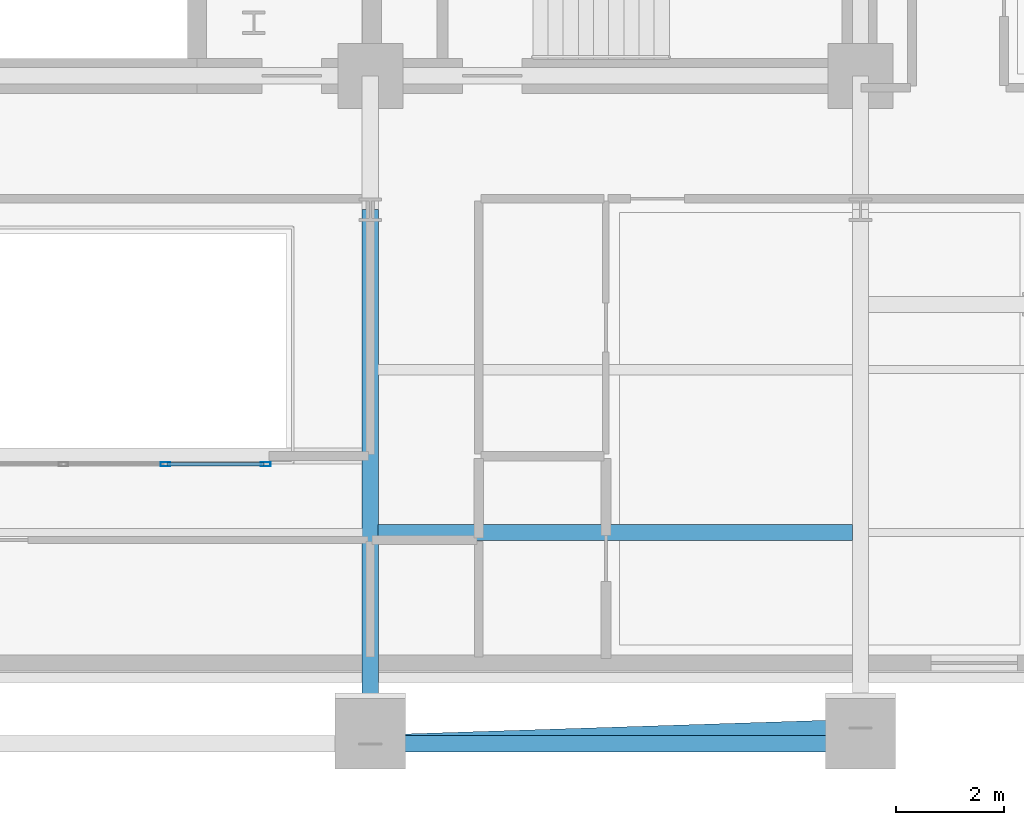
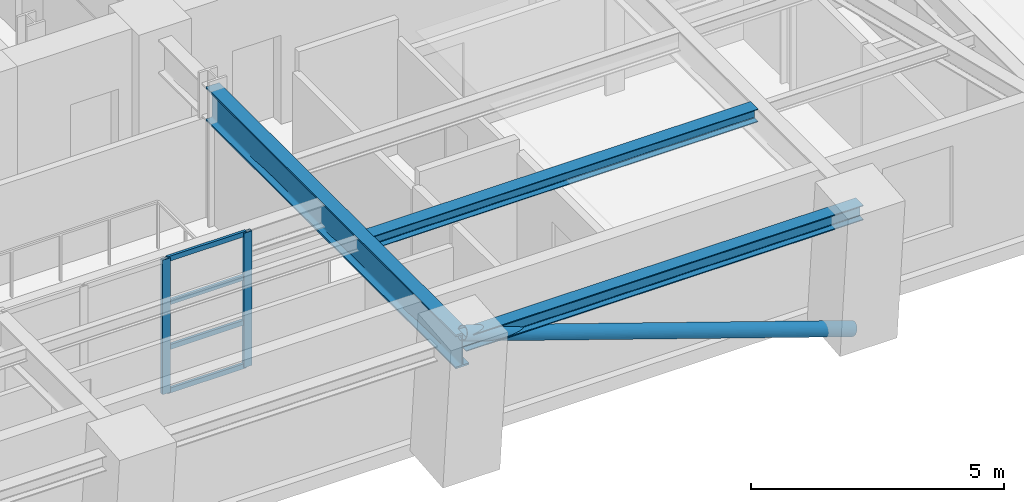
# One storey, part 4 of 15: 7 members, 3 beams, 1 element without a shape of its own.
"""IFC4 building model written with IfcOpenShell, lengths in metres."""

from ifc_helpers import new_model, si_unit, direction, frame, origin, origin_2d, place, context, subcontext, project, spatial, hollow_rectangle, hollow_circle, i_section, extrude, material, layer, layer_set, material_profile, profile_set, type_object, element, aggregate, save


model = new_model("IFC4")

# Units and contexts
model_context = context("Model", 3, precision=1e-05, world=origin(), true_north=direction((0.0, 1.0)))
body_context = subcontext(model_context, "Body", "Model", "MODEL_VIEW")
ifc_project = project(units=[si_unit("LENGTHUNIT", "METRE"), si_unit("AREAUNIT", "SQUARE_METRE"), si_unit("VOLUMEUNIT", "CUBIC_METRE"), si_unit("PLANEANGLEUNIT", "RADIAN"), si_unit("MASSUNIT", "GRAM", prefix="KILO")], contexts=[model_context])

# Site, building, storey
site_placement = place(None, origin())
site = spatial("IfcSite", under=ifc_project, at=site_placement, CompositionType="ELEMENT")
building_placement = place(site_placement, origin())
building = spatial("IfcBuilding", under=site, at=building_placement, Name="Zarnavel Station Tower", CompositionType="ELEMENT")
storey_placement = place(building_placement, frame((0.0, 0.0, 115.300048828125)))
storey = spatial("IfcBuildingStorey", under=building, at=storey_placement, Name="L31", CompositionType="ELEMENT", Elevation=115.300048828125)

# Curtain wall, members
ifc_material_1 = material(Name="Aluminium Dark Anodised and Solar-Control Glass", Category="aluminium")
ifc_layer = layer(ifc_material_1, 0.179931640625)
ifc_layer_set = layer_set([ifc_layer], Name="CWS3")
curtain_wall_type = type_object("IfcCurtainWallType", Name="CWS3", PredefinedType="NOTDEFINED", material=ifc_layer_set)
curtain_wall_placement = place(storey_placement, origin())
curtain_wall = element("IfcCurtainWall", 1, at=curtain_wall_placement, inside=storey, type_object=curtain_wall_type, Name="L31 Curtain Wall CWS3-L31-AS", PredefinedType="NOTDEFINED")
ifc_material_2 = material(Name="Steel S355J2 (Black Fluoropolymer Coated)", Category="steel")
ifc_material_profile_1 = material_profile(ifc_material_2, hollow_rectangle(XDim=0.080078125, YDim=0.179931640625, WallThickness=0.00634765625, at=origin_2d()), Name="RHS180x80x6.3")
ifc_profile_set_1 = profile_set([ifc_material_profile_1], Name="Steel S355J2 (Black Fluoropolymer Coated)")
member_type_1 = type_object("IfcMemberType", Name="CWS3_MUL", PredefinedType="MULLION", material=ifc_profile_set_1)
member_1_placement = place(storey_placement, frame((32.566650390625, 20.64990234375, 0.0), z_axis=(0.0, 0.0, 1.0), x_axis=(0.0, 1.0, 0.0)))
member_1 = element("IfcMember", 2, at=member_1_placement, type_object=member_type_1, Name="CW3 mullion 6", PredefinedType="MULLION", context=body_context, shape_type="SweptSolid", body=[
    extrude(hollow_rectangle(XDim=0.080078125, YDim=0.179931640625, WallThickness=0.00634765625, at=origin_2d()), origin(), (0.0, 0.0, 1.0), 3.239990234375),
])
member_2_placement = place(storey_placement, frame((34.419921875, 20.64990234375, 0.0), z_axis=(0.0, 0.0, 1.0), x_axis=(0.0, 1.0, 0.0)))
member_2 = element("IfcMember", 3, at=member_2_placement, type_object=member_type_1, Name="CW3 mullion 7", PredefinedType="MULLION", context=body_context, shape_type="SweptSolid", body=[
    extrude(hollow_rectangle(XDim=0.080078125, YDim=0.179931640625, WallThickness=0.00634765625, at=origin_2d()), origin(), (0.0, 0.0, 1.0), 3.239990234375),
])
ifc_material_3 = material(Name="Steel S355J2 (Black Fluoropolymer Coated)", Category="steel")
ifc_material_profile_2 = material_profile(ifc_material_3, hollow_rectangle(XDim=0.06005859375, YDim=0.1201171875, WallThickness=0.0048828125, at=origin_2d()), Name="RHS120x60x5")
ifc_profile_set_2 = profile_set([ifc_material_profile_2], Name="Steel S355J2 (Black Fluoropolymer Coated)")
member_type_2 = type_object("IfcMemberType", Name="CWS3_TRN", PredefinedType="USERDEFINED", material=ifc_profile_set_2)
member_3_placement = place(storey_placement, frame((32.5966796875, 20.64990234375, 0.030029296875), z_axis=(1.0, 0.0, 0.0), x_axis=(0.0, 1.0, 0.0)))
member_3 = element("IfcMember", 4, at=member_3_placement, type_object=member_type_2, Name="CW3 transom 6.1", ObjectType="TRANSOM", PredefinedType="USERDEFINED", context=body_context, shape_type="SweptSolid", body=[
    extrude(hollow_rectangle(XDim=0.06005859375, YDim=0.1201171875, WallThickness=0.0048828125, at=origin_2d()), origin(), (0.0, 0.0, 1.0), 1.793212890625),
])
member_4_placement = place(storey_placement, frame((32.5966796875, 20.64990234375, 1.079833984375), z_axis=(1.0, 0.0, 0.0), x_axis=(0.0, 1.0, 0.0)))
member_4 = element("IfcMember", 5, at=member_4_placement, type_object=member_type_2, Name="CW3 transom 6.2", ObjectType="TRANSOM", PredefinedType="USERDEFINED", context=body_context, shape_type="SweptSolid", body=[
    extrude(hollow_rectangle(XDim=0.06005859375, YDim=0.1201171875, WallThickness=0.0048828125, at=origin_2d()), origin(), (0.0, 0.0, 1.0), 1.793212890625),
])
member_5_placement = place(storey_placement, frame((32.5966796875, 20.64990234375, 2.159912109375), z_axis=(1.0, 0.0, 0.0), x_axis=(0.0, 1.0, 0.0)))
member_5 = element("IfcMember", 6, at=member_5_placement, type_object=member_type_2, Name="CW3 transom 6.3", ObjectType="TRANSOM", PredefinedType="USERDEFINED", context=body_context, shape_type="SweptSolid", body=[
    extrude(hollow_rectangle(XDim=0.06005859375, YDim=0.1201171875, WallThickness=0.0048828125, at=origin_2d()), origin(), (0.0, 0.0, 1.0), 1.793212890625),
])
member_6_placement = place(storey_placement, frame((32.5966796875, 20.64990234375, 3.2099609375), z_axis=(1.0, 0.0, 0.0), x_axis=(0.0, 1.0, 0.0)))
member_6 = element("IfcMember", 7, at=member_6_placement, type_object=member_type_2, Name="CW3 transom 6.4", ObjectType="TRANSOM", PredefinedType="USERDEFINED", context=body_context, shape_type="SweptSolid", body=[
    extrude(hollow_rectangle(XDim=0.06005859375, YDim=0.1201171875, WallThickness=0.0048828125, at=origin_2d()), origin(), (0.0, 0.0, 1.0), 1.793212890625),
])
aggregate(curtain_wall, [member_1, member_2, member_3, member_4, member_5, member_6])

# Member
ifc_material_4 = material(Name="Steel S355J2", Category="steel")
ifc_material_profile_3 = material_profile(ifc_material_4, hollow_circle(Radius=0.161865234375, WallThickness=0.012451171875, at=origin_2d()), Name="CHS323.9x12.5")
ifc_profile_set_3 = profile_set([ifc_material_profile_3], Name="Steel S355J2")
member_type_3 = type_object("IfcMemberType", Name="DB_EXT_CHS324", PredefinedType="BRACE", material=ifc_profile_set_3)
member_7_placement = place(storey_placement, frame((45.39990234375, 15.779541015625, 0.0), z_axis=(-0.94104157458, -0.030540439576, 0.336909537505), x_axis=(0.032436790978, -0.999473788846, 0.0)))
element("IfcMember", 8, at=member_7_placement, inside=storey, type_object=member_type_3, Name="L31 Persian Exterior Diagonal Frame Brace 2", PredefinedType="BRACE", context=body_context, shape_type="SweptSolid", body=[
    extrude(hollow_circle(Radius=0.161865234375, WallThickness=0.012451171875, at=origin_2d()), origin(), (0.0, 0.0, 1.0), 9.61669921875),
])

# Beams
ifc_material_5 = material(Name="Steel S355J2", Category="steel")
ifc_material_profile_4 = material_profile(ifc_material_5, i_section(OverallWidth=0.300048828125, OverallDepth=0.360107421875, WebThickness=0.012451171875, FlangeThickness=0.0224609375, FilletRadius=0.027099609375, at=origin_2d()), Name="HEB360")
ifc_profile_set_4 = profile_set([ifc_material_profile_4], Name="Steel S355J2")
beam_type_1 = type_object("IfcBeamType", Name="EB_HEB360", PredefinedType="SPANDREL", material=ifc_profile_set_4)
beam_1_placement = place(storey_placement, frame((36.35009765625, 15.48583984375, 3.06005859375), z_axis=(1.0, 0.0, 0.0), x_axis=(0.0, 1.0, 0.0)))
element("IfcBeam", 9, at=beam_1_placement, inside=storey, type_object=beam_type_1, Name="L31 South Raked Spandrel 4", PredefinedType="SPANDREL", context=body_context, shape_type="SweptSolid", body=[
    extrude(i_section(OverallWidth=0.300048828125, OverallDepth=0.360107421875, WebThickness=0.012451171875, FlangeThickness=0.0224609375, FilletRadius=0.027099609375, at=origin_2d()), origin(), (0.0, 0.0, 1.0), 9.0498046875),
])
ifc_material_6 = material(Name="Steel S355J2", Category="steel")
ifc_material_profile_5 = material_profile(ifc_material_6, i_section(OverallWidth=0.300048828125, OverallDepth=0.31005859375, WebThickness=0.009033203125, FlangeThickness=0.015380859375, FilletRadius=0.027099609375, at=origin_2d()), Name="HEA320")
ifc_profile_set_5 = profile_set([ifc_material_profile_5], Name="Steel S355J2")
beam_type_2 = type_object("IfcBeamType", Name="FB_HEA320", PredefinedType="BEAM", material=ifc_profile_set_5)
beam_2_placement = place(storey_placement, frame((36.4951171875, 19.390625, 3.0849609375), z_axis=(1.0, 0.0, 0.0), x_axis=(0.0, 1.0, 0.0)))
element("IfcBeam", 10, at=beam_2_placement, inside=storey, type_object=beam_type_2, Name="L31 East Bay Beam 1", PredefinedType="BEAM", context=body_context, shape_type="SweptSolid", body=[
    extrude(i_section(OverallWidth=0.300048828125, OverallDepth=0.31005859375, WebThickness=0.009033203125, FlangeThickness=0.015380859375, FilletRadius=0.027099609375, at=origin_2d()), origin(), (0.0, 0.0, 1.0), 8.759765625),
])
ifc_material_7 = material(Name="Steel S460M", Category="steel")
ifc_material_profile_6 = material_profile(ifc_material_7, i_section(OverallWidth=0.302978515625, OverallDepth=0.81396484375, WebThickness=0.02099609375, FlangeThickness=0.0400390625, FilletRadius=0.030029296875, at=origin_2d()), Name="HEM800")
ifc_profile_set_6 = profile_set([ifc_material_profile_6], Name="Steel S460M")
beam_type_3 = type_object("IfcBeamType", Name="FG_HEM800", PredefinedType="USERDEFINED", material=ifc_profile_set_6)
beam_3_placement = place(storey_placement, frame((36.35009765625, 15.48583984375, 2.8330078125), z_axis=(0.0, 1.0, 0.0), x_axis=(-1.0, 0.0, 0.0)))
element("IfcBeam", 11, at=beam_3_placement, inside=storey, type_object=beam_type_3, Name="L31 South-Zone NS Girder 4", ObjectType="GIRDER", PredefinedType="USERDEFINED", context=body_context, shape_type="SweptSolid", body=[
    extrude(i_section(OverallWidth=0.302978515625, OverallDepth=0.81396484375, WebThickness=0.02099609375, FlangeThickness=0.0400390625, FilletRadius=0.030029296875, at=origin_2d()), origin(), (0.0, 0.0, 1.0), 9.8642578125),
])

save(model, "model.ifc")
